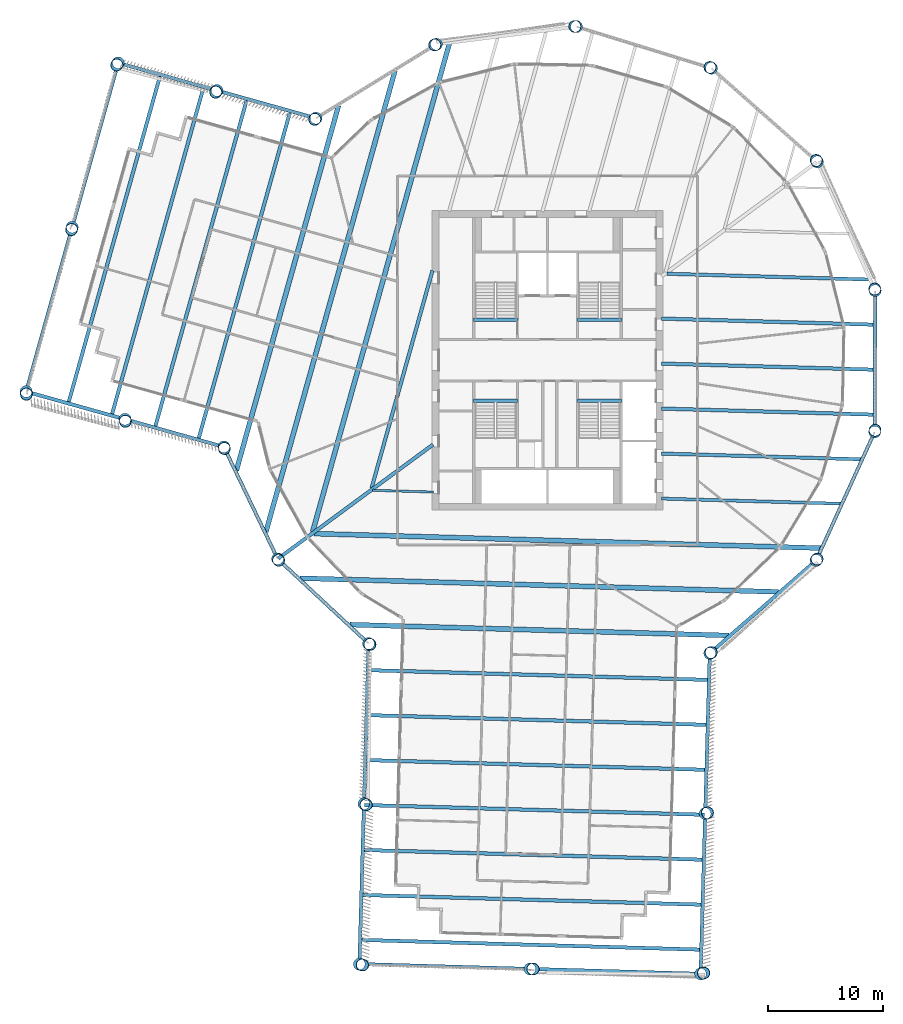
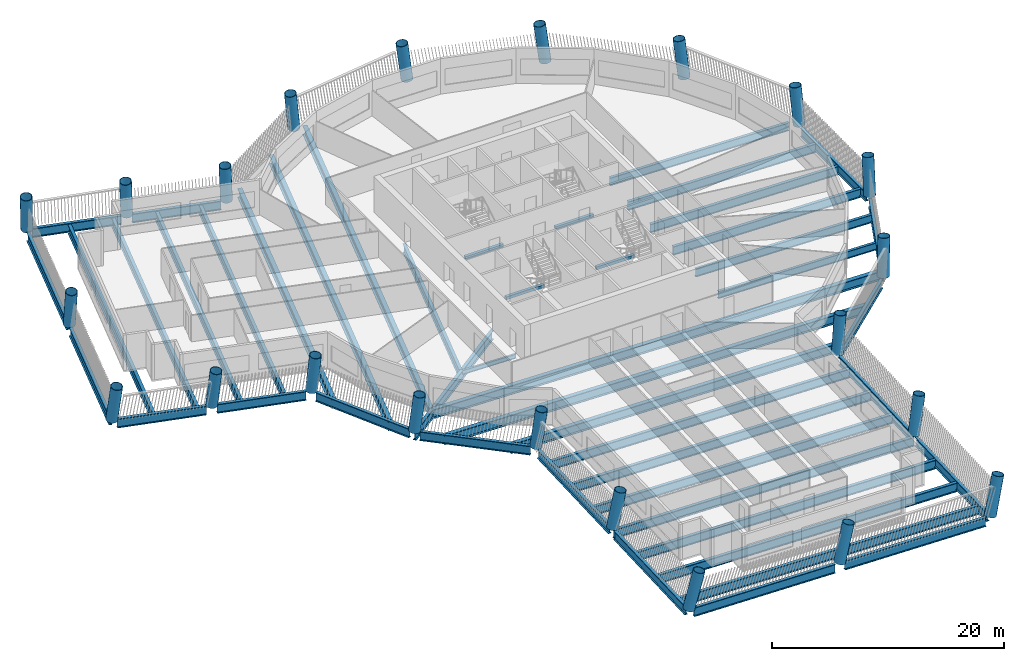
# One storey, part 1 of 15: 47 beams, 22 columns.
"""IFC4 building model written with IfcOpenShell, lengths in metres."""

from ifc_helpers import new_model, si_unit, direction, frame, origin, origin_2d, place, context, subcontext, project, spatial, rectangle, hollow_circle, i_section, extrude, material, material_profile, profile_set, type_object, element, save


model = new_model("IFC4")

# Units and contexts
model_context = context("Model", 3, precision=1e-05, world=origin(), true_north=direction((0.0, 1.0)))
body_context = subcontext(model_context, "Body", "Model", "MODEL_VIEW")
ifc_project = project(units=[si_unit("LENGTHUNIT", "METRE"), si_unit("AREAUNIT", "SQUARE_METRE"), si_unit("VOLUMEUNIT", "CUBIC_METRE"), si_unit("PLANEANGLEUNIT", "RADIAN"), si_unit("MASSUNIT", "GRAM", prefix="KILO")], contexts=[model_context])

# Site, building, storey
site_placement = place(None, origin())
site = spatial("IfcSite", under=ifc_project, at=site_placement, CompositionType="ELEMENT")
building_placement = place(site_placement, origin())
building = spatial("IfcBuilding", under=site, at=building_placement, Name="Tarsis Ring Headquarters", CompositionType="ELEMENT")
storey_placement = place(building_placement, frame((0.0, 0.0, 219.89990234375)))
storey = spatial("IfcBuildingStorey", under=building, at=storey_placement, Name="L51", CompositionType="ELEMENT", Elevation=219.89990234375)

# Columns
ifc_material_1 = material(Name="Structural steel S355", Category="steel")
ifc_material_profile_1 = material_profile(ifc_material_1, hollow_circle(Radius=0.533447265625, WallThickness=0.044921875, at=origin_2d()), Name="CHS 1067x45")
ifc_profile_set_1 = profile_set([ifc_material_profile_1], Name="Structural steel S355")
column_type = type_object("IfcColumnType", Name="XC Exo column CHS 1067x45", PredefinedType="COLUMN", material=ifc_profile_set_1)
for number, where, z_axis, x_axis, name in (
    (1, (-23.392822265625, -17.2216796875, 0.001220703125), (0.074212916427, -0.099137019851, 0.992302521578), (0.80054173313, 0.599277009001, 0.0), "Exo column XC5 F1"),
    (2, (-15.50927734375, -24.561767578125, 0.001220703125), (0.105289848755, -0.065262302947, 0.992297777667), (0.526838184188, 0.849965603823, 0.0), "Exo column XC5 AK"),
):
    element("IfcColumn", number, at=place(storey_placement, frame(where, z_axis=z_axis, x_axis=x_axis)), inside=storey, type_object=column_type, Name=name, PredefinedType="COLUMN", context=body_context, shape_type="SweptSolid", body=[
        extrude(hollow_circle(Radius=0.533447265625, WallThickness=0.044921875, at=origin_2d()), origin(), (0.0, 0.0, 1.0), 3.927978515625),
    ])
column_1_placement = place(storey_placement, frame((-15.906982421875, -38.458251953125, 0.00146484375), z_axis=(0.16323133438, -0.065921532472, 0.984382996111), x_axis=(0.374468841489, 0.927239498055, 0.0)))
element("IfcColumn", 3, at=column_1_placement, inside=storey, type_object=column_type, Name="Exo column XC5 AI1", PredefinedType="COLUMN", context=body_context, shape_type="SweptSolid", body=[
    extrude(hollow_circle(Radius=0.533447265625, WallThickness=0.044921875, at=origin_2d()), origin(), (0.0, 0.0, 1.0), 3.958984375),
])
column_2_placement = place(storey_placement, frame((-16.3046875, -52.35498046875, 0.001708984375), z_axis=(0.219479755531, -0.06635009003, 0.97335826008), x_axis=(0.289372499352, 0.95721656725, 0.0)))
element("IfcColumn", 4, at=column_2_placement, inside=storey, type_object=column_type, Name="Exo column XC5 AT1", PredefinedType="COLUMN", context=body_context, shape_type="SweptSolid", body=[
    extrude(hollow_circle(Radius=0.533447265625, WallThickness=0.044921875, at=origin_2d()), origin(), (0.0, 0.0, 1.0), 4.00341796875),
])
column_3_placement = place(storey_placement, frame((-1.5107421875, -52.7783203125, 0.001708984375), z_axis=(0.221183071379, -0.004521421901, 0.975221823833), x_axis=(0.020437719191, 0.999791128003, 0.0)))
element("IfcColumn", 5, at=column_3_placement, inside=storey, type_object=column_type, Name="Exo column XC5 AT2", PredefinedType="COLUMN", context=body_context, shape_type="SweptSolid", body=[
    extrude(hollow_circle(Radius=0.533447265625, WallThickness=0.044921875, at=origin_2d()), origin(), (0.0, 0.0, 1.0), 3.995849609375),
])
column_4_placement = place(storey_placement, frame((13.283203125, -53.201904296875, 0.001708984375), z_axis=(0.221979907664, 0.057446448632, 0.973357501709), x_axis=(-0.250537550351, 0.968106882459, 0.0)))
element("IfcColumn", 6, at=column_4_placement, inside=storey, type_object=column_type, Name="Exo column XC5 AT3", PredefinedType="COLUMN", context=body_context, shape_type="SweptSolid", body=[
    extrude(hollow_circle(Radius=0.533447265625, WallThickness=0.044921875, at=origin_2d()), origin(), (0.0, 0.0, 1.0), 4.00341796875),
])
column_5_placement = place(storey_placement, frame((13.680908203125, -39.305419921875, 0.00146484375), z_axis=(0.165759821729, 0.059261602932, 0.984383941315), x_axis=(-0.336647060083, 0.941630902709, 0.0)))
element("IfcColumn", 7, at=column_5_placement, inside=storey, type_object=column_type, Name="Exo column XC5 AO1", PredefinedType="COLUMN", context=body_context, shape_type="SweptSolid", body=[
    extrude(hollow_circle(Radius=0.533447265625, WallThickness=0.044921875, at=origin_2d()), origin(), (0.0, 0.0, 1.0), 3.958984375),
])
for number, where, z_axis, x_axis, name in (
    (8, (14.07861328125, -25.40869140625, 0.001220703125), (0.107838501041, 0.06091166053, 0.992300673841), (-0.491809189547, 0.870703003944, 0.0), "Exo column XC5 AJ"),
    (9, (23.30029296875, -17.3466796875, 0.001220703125), (0.07315609539, 0.09994477603, 0.992299968483), (-0.806931155172, 0.590645503506, 0.0), "Exo column XC5 R1"),
    (10, (28.379150390625, -6.200439453125, 0.001220703125), (0.025421336502, 0.121201971097, 0.992302291569), (-0.978703940647, 0.205276877807, 0.0), "Exo column XC5 R2"),
    (11, (28.411865234375, 6.04833984375, 0.001220703125), (-0.026788794842, 0.12089142916, 0.992304198735), (-0.976316804785, -0.216345780392, 0.0), "Exo column XC5 R3"),
    (12, (23.392822265625, 17.2216796875, 0.001220703125), (-0.074212916427, 0.099137019851, 0.992302521578), (-0.80054173313, -0.599277009001, 0.0), "Exo column XC5 R4"),
    (13, (14.214599609375, 25.3330078125, 0.001220703125), (-0.108522310051, 0.059668624083, 0.99230164946), (-0.481803149813, -0.876279478723, 0.0), "Exo column XC5 R5"),
    (14, (2.5087890625, 28.93994140625, 0.001220703125), (-0.123439843757, 0.009696181081, 0.992304685591), (-0.078308635224, -0.996929163807, 0.0), "Exo column XC5 R6"),
    (15, (-9.642822265625, 27.4013671875, 0.001220703125), (-0.116478106571, -0.042078803708, 0.99230147887), (0.339767787927, -0.940509356831, 0.0), "Exo column XC5 R7"),
    (16, (-20.080078125, 20.990478515625, 0.001220703125), (-0.088819019372, -0.086332832685, 0.99229926121), (0.696999566144, -0.717071547891, 0.0), "Exo column XC5 BJ"),
):
    element("IfcColumn", number, at=place(storey_placement, frame(where, z_axis=z_axis, x_axis=x_axis)), inside=storey, type_object=column_type, Name=name, PredefinedType="COLUMN", context=body_context, shape_type="SweptSolid", body=[
        extrude(hollow_circle(Radius=0.533447265625, WallThickness=0.044921875, at=origin_2d()), origin(), (0.0, 0.0, 1.0), 3.927978515625),
    ])
column_6_placement = place(storey_placement, frame((-28.65283203125, 23.390380859375, 0.00146484375), z_axis=(-0.098241387072, -0.122368679867, 0.9876105184), x_axis=(0.779790722906, -0.626040277035, 0.0)))
element("IfcColumn", 17, at=column_6_placement, inside=storey, type_object=column_type, Name="Exo column XC5 BO1", PredefinedType="COLUMN", context=body_context, shape_type="SweptSolid", body=[
    extrude(hollow_circle(Radius=0.533447265625, WallThickness=0.044921875, at=origin_2d()), origin(), (0.0, 0.0, 1.0), 3.9462890625),
])
column_7_placement = place(storey_placement, frame((-37.2255859375, 25.790283203125, 0.00146484375), z_axis=(-0.107427096636, -0.157850805417, 0.981602028389), x_axis=(0.826710799453, -0.562627100368, 0.0)))
element("IfcColumn", 18, at=column_7_placement, inside=storey, type_object=column_type, Name="Exo column XC5 BT3", PredefinedType="COLUMN", context=body_context, shape_type="SweptSolid", body=[
    extrude(hollow_circle(Radius=0.533447265625, WallThickness=0.044921875, at=origin_2d()), origin(), (0.0, 0.0, 1.0), 3.97021484375),
])
column_8_placement = place(storey_placement, frame((-41.21533203125, 11.538330078125, 0.00146484375), z_axis=(-0.047317965535, -0.174546609843, 0.983511307068), x_axis=(0.965163662343, -0.261646908817, 0.0)))
element("IfcColumn", 19, at=column_8_placement, inside=storey, type_object=column_type, Name="Exo column XC5 BT2", PredefinedType="COLUMN", context=body_context, shape_type="SweptSolid", body=[
    extrude(hollow_circle(Radius=0.533447265625, WallThickness=0.044921875, at=origin_2d()), origin(), (0.0, 0.0, 1.0), 3.962646484375),
])
column_9_placement = place(storey_placement, frame((-45.205322265625, -2.7138671875, 0.00146484375), z_axis=(0.01303634761, -0.190502853286, 0.981600079732), x_axis=(0.997666773684, 0.068271580381, 0.0)))
element("IfcColumn", 20, at=column_9_placement, inside=storey, type_object=column_type, Name="Exo column XC5 BT1", PredefinedType="COLUMN", context=body_context, shape_type="SweptSolid", body=[
    extrude(hollow_circle(Radius=0.533447265625, WallThickness=0.044921875, at=origin_2d()), origin(), (0.0, 0.0, 1.0), 3.97021484375),
])
column_10_placement = place(storey_placement, frame((-36.632568359375, -5.11376953125, 0.00146484375), z_axis=(0.023013759037, -0.155219143615, 0.987611960413), x_axis=(0.989186521294, 0.146662967685, 0.0)))
element("IfcColumn", 21, at=column_10_placement, inside=storey, type_object=column_type, Name="Exo column XC5 BI1", PredefinedType="COLUMN", context=body_context, shape_type="SweptSolid", body=[
    extrude(hollow_circle(Radius=0.533447265625, WallThickness=0.044921875, at=origin_2d()), origin(), (0.0, 0.0, 1.0), 3.9462890625),
])
column_11_placement = place(storey_placement, frame((-28.06005859375, -7.513671875, 0.001220703125), z_axis=(0.033066406712, -0.119337407681, 0.992302975847), x_axis=(0.963690289961, 0.267022517843, 0.0)))
element("IfcColumn", 22, at=column_11_placement, inside=storey, type_object=column_type, Name="Exo column XC5 BK", PredefinedType="COLUMN", context=body_context, shape_type="SweptSolid", body=[
    extrude(hollow_circle(Radius=0.533447265625, WallThickness=0.044921875, at=origin_2d()), origin(), (0.0, 0.0, 1.0), 3.927978515625),
])

# Beams
ifc_material_profile_2 = material_profile(ifc_material_1, i_section(OverallWidth=0.1904296875, OverallDepth=0.457275390625, WebThickness=0.009033203125, FlangeThickness=0.014404296875, at=origin_2d()), Name="W18x50")
ifc_profile_set_2 = profile_set([ifc_material_profile_2], Name="Structural steel S355")
beam_type_1 = type_object("IfcBeamType", Name="FB Floor beam W18x50", PredefinedType="JOIST", material=ifc_profile_set_2)
beam_1_placement = place(storey_placement, frame((-15.15234375, -11.27099609375, -0.388427734375), z_axis=(0.999590303252, -0.028622118105, 0.0), x_axis=(0.028622118105, 0.999590303252, 0.0)))
element("IfcBeam", 23, at=beam_1_placement, inside=storey, type_object=beam_type_1, Name="Floor beam FB2", PredefinedType="JOIST", context=body_context, shape_type="SweptSolid", body=[
    extrude(i_section(OverallWidth=0.1904296875, OverallDepth=0.457275390625, WebThickness=0.009033203125, FlangeThickness=0.014404296875, at=origin_2d()), origin(), (0.0, 0.0, 1.0), 5.25439453125),
])
ifc_material_profile_3 = material_profile(ifc_material_1, i_section(OverallWidth=0.2666015625, OverallDepth=0.7568359375, WebThickness=0.013916015625, FlangeThickness=0.019287109375, at=origin_2d()), Name="W30x108")
ifc_profile_set_3 = profile_set([ifc_material_profile_3], Name="Structural steel S355")
beam_type_2 = type_object("IfcBeamType", Name="FB Floor beam W30x108", PredefinedType="JOIST", material=ifc_profile_set_3)
beam_2_placement = place(storey_placement, frame((9.900146484375, -11.98828125, -0.538330078125), z_axis=(0.99959033306, -0.028621077073, 0.0), x_axis=(0.028621077073, 0.99959033306, 0.0)))
element("IfcBeam", 24, at=beam_2_placement, inside=storey, type_object=beam_type_2, Name="Floor beam FB6", PredefinedType="JOIST", context=body_context, shape_type="SweptSolid", body=[
    extrude(i_section(OverallWidth=0.2666015625, OverallDepth=0.7568359375, WebThickness=0.013916015625, FlangeThickness=0.019287109375, at=origin_2d()), origin(), (0.0, 0.0, 1.0), 15.575927734375),
])
ifc_material_profile_4 = material_profile(ifc_material_1, i_section(OverallWidth=0.2919921875, OverallDepth=0.835693359375, WebThickness=0.013916015625, FlangeThickness=0.018798828125, at=origin_2d()), Name="W33x118")
ifc_profile_set_4 = profile_set([ifc_material_profile_4], Name="Structural steel S355")
beam_type_3 = type_object("IfcBeamType", Name="FB Floor beam W33x118", PredefinedType="JOIST", material=ifc_profile_set_4)
beam_3_placement = place(storey_placement, frame((10.354248046875, 7.5068359375, -0.57763671875), z_axis=(0.999590372699, -0.028619692652, 0.0), x_axis=(0.028619692652, 0.999590372699, 0.0)))
element("IfcBeam", 25, at=beam_3_placement, inside=storey, type_object=beam_type_3, Name="Floor beam FB7", PredefinedType="JOIST", context=body_context, shape_type="SweptSolid", body=[
    extrude(i_section(OverallWidth=0.2919921875, OverallDepth=0.835693359375, WebThickness=0.013916015625, FlangeThickness=0.018798828125, at=origin_2d()), origin(), (0.0, 0.0, 1.0), 17.564208984375),
])
beam_4_placement = place(storey_placement, frame((9.900146484375, -8.086669921875, -0.57763671875), z_axis=(0.99959025754, -0.028623714481, 0.0), x_axis=(0.028623714481, 0.99959025754, 0.0)))
element("IfcBeam", 26, at=beam_4_placement, inside=storey, type_object=beam_type_3, Name="Floor beam FB7", PredefinedType="JOIST", context=body_context, shape_type="SweptSolid", body=[
    extrude(i_section(OverallWidth=0.2919921875, OverallDepth=0.835693359375, WebThickness=0.013916015625, FlangeThickness=0.018798828125, at=origin_2d()), origin(), (0.0, 0.0, 1.0), 17.33154296875),
])
ifc_material_profile_5 = material_profile(ifc_material_1, i_section(OverallWidth=0.3046875, OverallDepth=0.904296875, WebThickness=0.01513671875, FlangeThickness=0.02001953125, at=origin_2d()), Name="W36x135")
ifc_profile_set_5 = profile_set([ifc_material_profile_5], Name="Structural steel S355")
beam_type_4 = type_object("IfcBeamType", Name="FB Floor beam W36x135", PredefinedType="JOIST", material=ifc_profile_set_5)
beam_5_placement = place(storey_placement, frame((9.900146484375, 3.6181640625, -0.612060546875), z_axis=(0.999590206912, -0.028625482462, 0.0), x_axis=(0.028625482462, 0.999590206912, 0.0)))
element("IfcBeam", 27, at=beam_5_placement, inside=storey, type_object=beam_type_4, Name="Floor beam FB8", PredefinedType="JOIST", context=body_context, shape_type="SweptSolid", body=[
    extrude(i_section(OverallWidth=0.3046875, OverallDepth=0.904296875, WebThickness=0.01513671875, FlangeThickness=0.02001953125, at=origin_2d()), origin(), (0.0, 0.0, 1.0), 18.456298828125),
])
beam_6_placement = place(storey_placement, frame((9.900146484375, -0.283447265625, -0.612060546875), z_axis=(0.999590497944, -0.028615317937, 0.0), x_axis=(0.028615317937, 0.999590497944, 0.0)))
element("IfcBeam", 28, at=beam_6_placement, inside=storey, type_object=beam_type_4, Name="Floor beam FB8", PredefinedType="JOIST", context=body_context, shape_type="SweptSolid", body=[
    extrude(i_section(OverallWidth=0.3046875, OverallDepth=0.904296875, WebThickness=0.01513671875, FlangeThickness=0.02001953125, at=origin_2d()), origin(), (0.0, 0.0, 1.0), 18.44580078125),
])
beam_7_placement = place(storey_placement, frame((9.900146484375, -4.18505859375, -0.612060546875), z_axis=(0.999590421296, -0.028617995263, 0.0), x_axis=(0.028617995263, 0.999590421296, 0.0)))
element("IfcBeam", 29, at=beam_7_placement, inside=storey, type_object=beam_type_4, Name="Floor beam FB8", PredefinedType="JOIST", context=body_context, shape_type="SweptSolid", body=[
    extrude(i_section(OverallWidth=0.3046875, OverallDepth=0.904296875, WebThickness=0.01513671875, FlangeThickness=0.02001953125, at=origin_2d()), origin(), (0.0, 0.0, 1.0), 18.435546875),
])
beam_8_placement = place(storey_placement, frame((-9.97314453125, 7.775390625, -0.612060546875), z_axis=(-0.269590236863, -0.962975131656, 0.0), x_axis=(0.962975131656, -0.269590236863, 0.0)))
element("IfcBeam", 30, at=beam_8_placement, inside=storey, type_object=beam_type_4, Name="Floor beam FB8", PredefinedType="JOIST", context=body_context, shape_type="SweptSolid", body=[
    extrude(i_section(OverallWidth=0.3046875, OverallDepth=0.904296875, WebThickness=0.01513671875, FlangeThickness=0.02001953125, at=origin_2d()), origin(), (0.0, 0.0, 1.0), 19.62255859375),
])
ifc_material_profile_6 = material_profile(ifc_material_1, i_section(OverallWidth=0.309814453125, OverallDepth=0.949951171875, WebThickness=0.0244140625, FlangeThickness=0.0439453125, at=origin_2d()), Name="W36x256")
ifc_profile_set_6 = profile_set([ifc_material_profile_6], Name="Structural steel S355")
beam_type_5 = type_object("IfcBeamType", Name="FB Floor beam W36x256", PredefinedType="JOIST", material=ifc_profile_set_6)
for number, where, z_axis, x_axis, name in (
    (31, (-15.520263671875, -26.86669921875, -0.635009765625), (0.999590376256, -0.028619568425, 0.0), (0.028619568425, 0.999590376256, 0.0), "Floor beam FB11"),
    (32, (-15.6318359375, -30.76513671875, -0.635009765625), (0.999590376256, -0.028619568425, 0.0), (0.028619568425, 0.999590376256, 0.0), "Floor beam FB11"),
    (33, (-15.74365234375, -34.66357421875, -0.635009765625), (0.999590376256, -0.028619568425, 0.0), (0.028619568425, 0.999590376256, 0.0), "Floor beam FB11"),
    (34, (-15.855224609375, -38.56201171875, -0.635009765625), (0.999590376256, -0.028619568425, 0.0), (0.028619568425, 0.999590376256, 0.0), "Floor beam FB11"),
    (35, (-15.966796875, -42.46044921875, -0.635009765625), (0.999590376256, -0.028619568425, 0.0), (0.028619568425, 0.999590376256, 0.0), "Floor beam FB11"),
    (36, (-16.078369140625, -46.35888671875, -0.635009765625), (0.999590376256, -0.028619568425, 0.0), (0.028619568425, 0.999590376256, 0.0), "Floor beam FB11"),
    (37, (-16.18994140625, -50.25732421875, -0.635009765625), (0.999590376256, -0.028619568425, 0.0), (0.028619568425, 0.999590376256, 0.0), "Floor beam FB11"),
):
    element("IfcBeam", number, at=place(storey_placement, frame(where, z_axis=z_axis, x_axis=x_axis)), inside=storey, type_object=beam_type_5, Name=name, PredefinedType="JOIST", context=body_context, shape_type="SweptSolid", body=[
        extrude(i_section(OverallWidth=0.309814453125, OverallDepth=0.949951171875, WebThickness=0.0244140625, FlangeThickness=0.0439453125, at=origin_2d()), origin(), (0.0, 0.0, 1.0), 29.489990234375),
    ])
for number, where, z_axis, x_axis, name in (
    (38, (-22.31396484375, 21.55908203125, -0.635009765625), (-0.269594612057, -0.962973906786, 0.0), (0.962973906786, -0.269594612057, 0.0), "Floor beam FB11"),
    (39, (-26.069580078125, 22.6103515625, -0.635009765625), (-0.269596761318, -0.962973305075, 0.0), (0.962973305075, -0.269596761318, 0.0), "Floor beam FB11"),
    (40, (-29.8251953125, 23.661865234375, -0.635009765625), (-0.269596761318, -0.962973305075, 0.0), (0.962973305075, -0.269596761318, 0.0), "Floor beam FB11"),
    (41, (-33.580810546875, 24.713134765625, -0.635009765625), (-0.269596761318, -0.962973305075, 0.0), (0.962973305075, -0.269596761318, 0.0), "Floor beam FB11"),
):
    element("IfcBeam", number, at=place(storey_placement, frame(where, z_axis=z_axis, x_axis=x_axis)), inside=storey, type_object=beam_type_5, Name=name, PredefinedType="JOIST", context=body_context, shape_type="SweptSolid", body=[
        extrude(i_section(OverallWidth=0.309814453125, OverallDepth=0.949951171875, WebThickness=0.0244140625, FlangeThickness=0.0439453125, at=origin_2d()), origin(), (0.0, 0.0, 1.0), 29.490234375),
    ])
beam_type_6 = type_object("IfcBeamType", Name="FB Floor beam W36x256 spine", PredefinedType="BEAM", material=ifc_profile_set_6)
beam_9_placement = place(storey_placement, frame((-9.91943359375, -7.302490234375, -0.635009765625), z_axis=(-0.805301249512, -0.592865834345, 0.0), x_axis=(0.592865834345, -0.805301249512, 0.0)))
element("IfcBeam", 42, at=beam_9_placement, inside=storey, type_object=beam_type_6, Name="Floor beam SB11", PredefinedType="BEAM", context=body_context, shape_type="SweptSolid", body=[
    extrude(i_section(OverallWidth=0.309814453125, OverallDepth=0.949951171875, WebThickness=0.0244140625, FlangeThickness=0.0439453125, at=origin_2d()), origin(), (0.0, 0.0, 1.0), 16.67333984375),
])
ifc_material_profile_7 = material_profile(ifc_material_1, i_section(OverallWidth=0.42431640625, OverallDepth=0.947509765625, WebThickness=0.02392578125, FlangeThickness=0.042724609375, at=origin_2d()), Name="W36x302")
ifc_profile_set_7 = profile_set([ifc_material_profile_7], Name="Structural steel S355")
beam_type_7 = type_object("IfcBeamType", Name="FB Floor beam W36x302", PredefinedType="JOIST", material=ifc_profile_set_7)
beam_10_placement = place(storey_placement, frame((-20.253662109375, -15.026611328125, -0.633544921875), z_axis=(0.999590432358, -0.028617608869, 0.0), x_axis=(0.028617608869, 0.999590432358, 0.0)))
element("IfcBeam", 43, at=beam_10_placement, inside=storey, type_object=beam_type_7, Name="Floor beam FB12", PredefinedType="JOIST", context=body_context, shape_type="SweptSolid", body=[
    extrude(i_section(OverallWidth=0.42431640625, OverallDepth=0.947509765625, WebThickness=0.02392578125, FlangeThickness=0.042724609375, at=origin_2d()), origin(), (0.0, 0.0, 1.0), 43.986572265625),
])
beam_11_placement = place(storey_placement, frame((-21.467041015625, -18.893310546875, -0.633544921875), z_axis=(0.999590319735, -0.028621542459, 0.0), x_axis=(0.028621542459, 0.999590319735, 0.0)))
element("IfcBeam", 44, at=beam_11_placement, inside=storey, type_object=beam_type_7, Name="Floor beam FB12", PredefinedType="JOIST", context=body_context, shape_type="SweptSolid", body=[
    extrude(i_section(OverallWidth=0.42431640625, OverallDepth=0.947509765625, WebThickness=0.02392578125, FlangeThickness=0.042724609375, at=origin_2d()), origin(), (0.0, 0.0, 1.0), 41.52392578125),
])
beam_12_placement = place(storey_placement, frame((-17.143310546875, -22.918701171875, -0.633544921875), z_axis=(0.99959034009, -0.028620831568, 0.0), x_axis=(0.028620831568, 0.99959034009, 0.0)))
element("IfcBeam", 45, at=beam_12_placement, inside=storey, type_object=beam_type_7, Name="Floor beam FB12", PredefinedType="JOIST", context=body_context, shape_type="SweptSolid", body=[
    extrude(i_section(OverallWidth=0.42431640625, OverallDepth=0.947509765625, WebThickness=0.02392578125, FlangeThickness=0.042724609375, at=origin_2d()), origin(), (0.0, 0.0, 1.0), 32.875244140625),
])
beam_13_placement = place(storey_placement, frame((-8.506103515625, 27.48193359375, -0.633544921875), z_axis=(-0.269591632828, -0.962974740847, 0.0), x_axis=(0.962974740847, -0.269591632828, 0.0)))
element("IfcBeam", 46, at=beam_13_placement, inside=storey, type_object=beam_type_7, Name="Floor beam FB12", PredefinedType="JOIST", context=body_context, shape_type="SweptSolid", body=[
    extrude(i_section(OverallWidth=0.42431640625, OverallDepth=0.947509765625, WebThickness=0.02392578125, FlangeThickness=0.042724609375, at=origin_2d()), origin(), (0.0, 0.0, 1.0), 43.986572265625),
])
beam_14_placement = place(storey_placement, frame((-13.22265625, 25.100341796875, -0.633544921875), z_axis=(-0.269594377695, -0.962973972398, 0.0), x_axis=(0.962973972398, -0.269594377695, 0.0)))
element("IfcBeam", 47, at=beam_14_placement, inside=storey, type_object=beam_type_7, Name="Floor beam FB12", PredefinedType="JOIST", context=body_context, shape_type="SweptSolid", body=[
    extrude(i_section(OverallWidth=0.42431640625, OverallDepth=0.947509765625, WebThickness=0.02392578125, FlangeThickness=0.042724609375, at=origin_2d()), origin(), (0.0, 0.0, 1.0), 41.523681640625),
])
beam_15_placement = place(storey_placement, frame((-18.11376953125, 22.09619140625, -0.633544921875), z_axis=(-0.269589433232, -0.962975356637, 0.0), x_axis=(0.962975356637, -0.269589433232, 0.0)))
element("IfcBeam", 48, at=beam_15_placement, inside=storey, type_object=beam_type_7, Name="Floor beam FB12", PredefinedType="JOIST", context=body_context, shape_type="SweptSolid", body=[
    extrude(i_section(OverallWidth=0.42431640625, OverallDepth=0.947509765625, WebThickness=0.02392578125, FlangeThickness=0.042724609375, at=origin_2d()), origin(), (0.0, 0.0, 1.0), 32.875244140625),
])
ifc_material_2 = material(Name="Concrete C40/50", Category="concrete")
ifc_material_profile_8 = material_profile(ifc_material_2, rectangle(XDim=0.300048828125, YDim=0.300048828125, at=origin_2d()), Name="Stair head beam 300x300 C40/50")
ifc_profile_set_8 = profile_set([ifc_material_profile_8], Name="Concrete C40/50")
beam_type_8 = type_object("IfcBeamType", Name="Stair head beam 300x300 C40/50", PredefinedType="BEAM", material=ifc_profile_set_8)
for number, where, z_axis, x_axis, name in (
    (49, (-6.39990234375, 3.510009765625, -0.309814453125), (1.0, 0.0, 0.0), (0.0, 1.0, 0.0), "Stair head beam L51 Firefighting stair"),
    (50, (2.60009765625, 3.510009765625, -0.309814453125), (1.0, 0.0, 0.0), (0.0, 1.0, 0.0), "Stair head beam L51 Exit stair B"),
    (51, (-6.39990234375, -3.510009765625, -0.309814453125), (1.0, 0.0, 0.0), (0.0, 1.0, 0.0), "Stair head beam L51 Exit stair C"),
    (52, (2.60009765625, -3.510009765625, -0.309814453125), (1.0, 0.0, 0.0), (0.0, 1.0, 0.0), "Stair head beam L51 Exit stair D"),
):
    element("IfcBeam", number, at=place(storey_placement, frame(where, z_axis=z_axis, x_axis=x_axis)), inside=storey, type_object=beam_type_8, Name=name, PredefinedType="BEAM", context=body_context, shape_type="SweptSolid", body=[
        extrude(rectangle(XDim=0.300048828125, YDim=0.300048828125, at=origin_2d()), origin(), (0.0, 0.0, 1.0), 3.7998046875),
    ])
beam_type_9 = type_object("IfcBeamType", Name="XG Ring girder W36x256", PredefinedType="BEAM", material=ifc_profile_set_6)
beam_16_placement = place(storey_placement, frame((-23.041748046875, -17.548828125, -0.474853515625), z_axis=(0.731899537353, -0.68141255288, 0.0), x_axis=(0.68141255288, 0.731899537353, 0.0)))
element("IfcBeam", 53, at=beam_16_placement, inside=storey, type_object=beam_type_9, Name="Ring girder XG2", PredefinedType="BEAM", context=body_context, shape_type="SweptSolid", body=[
    extrude(i_section(OverallWidth=0.309814453125, OverallDepth=0.949951171875, WebThickness=0.0244140625, FlangeThickness=0.0439453125, at=origin_2d()), origin(), (0.0, 0.0, 1.0), 9.811767578125),
])
beam_17_placement = place(storey_placement, frame((-15.52294921875, -25.04150390625, -0.474853515625), z_axis=(-0.028635167258, -0.999589929519, 0.0), x_axis=(0.999589929519, -0.028635167258, 0.0)))
element("IfcBeam", 54, at=beam_17_placement, inside=storey, type_object=beam_type_9, Name="Ring girder XG2", PredefinedType="BEAM", context=body_context, shape_type="SweptSolid", body=[
    extrude(i_section(OverallWidth=0.309814453125, OverallDepth=0.949951171875, WebThickness=0.0244140625, FlangeThickness=0.0439453125, at=origin_2d()), origin(), (0.0, 0.0, 1.0), 12.9423828125),
])
beam_18_placement = place(storey_placement, frame((-15.9208984375, -38.938232421875, -0.474853515625), z_axis=(-0.028616858564, -0.999590453839, 0.0), x_axis=(0.999590453839, -0.028616858564, 0.0)))
element("IfcBeam", 55, at=beam_18_placement, inside=storey, type_object=beam_type_9, Name="Ring girder XG2", PredefinedType="BEAM", context=body_context, shape_type="SweptSolid", body=[
    extrude(i_section(OverallWidth=0.309814453125, OverallDepth=0.949951171875, WebThickness=0.0244140625, FlangeThickness=0.0439453125, at=origin_2d()), origin(), (0.0, 0.0, 1.0), 12.942138671875),
])
for number, where, z_axis, x_axis, name in (
    (56, (-15.8251953125, -52.36865234375, -0.474853515625), (0.999590574265, -0.028612651751, 0.0), (0.028612651751, 0.999590574265, 0.0), "Ring girder XG2"),
    (57, (-1.03125, -52.7919921875, -0.474853515625), (0.999590069579, -0.028630277648, 0.0), (0.028630277648, 0.999590069579, 0.0), "Ring girder XG2"),
):
    element("IfcBeam", number, at=place(storey_placement, frame(where, z_axis=z_axis, x_axis=x_axis)), inside=storey, type_object=beam_type_9, Name=name, PredefinedType="BEAM", context=body_context, shape_type="SweptSolid", body=[
        extrude(i_section(OverallWidth=0.309814453125, OverallDepth=0.949951171875, WebThickness=0.0244140625, FlangeThickness=0.0439453125, at=origin_2d()), origin(), (0.0, 0.0, 1.0), 13.83984375),
    ])
beam_19_placement = place(storey_placement, frame((13.296630859375, -52.72216796875, -0.474853515625), z_axis=(0.028616318964, 0.999590469287, 0.0), x_axis=(-0.999590469287, 0.028616318964, 0.0)))
element("IfcBeam", 58, at=beam_19_placement, inside=storey, type_object=beam_type_9, Name="Ring girder XG2", PredefinedType="BEAM", context=body_context, shape_type="SweptSolid", body=[
    extrude(i_section(OverallWidth=0.309814453125, OverallDepth=0.949951171875, WebThickness=0.0244140625, FlangeThickness=0.0439453125, at=origin_2d()), origin(), (0.0, 0.0, 1.0), 12.9423828125),
])
beam_20_placement = place(storey_placement, frame((13.6943359375, -38.825439453125, -0.474853515625), z_axis=(0.028635707213, 0.999589914051, 0.0), x_axis=(-0.999589914051, 0.028635707213, 0.0)))
element("IfcBeam", 59, at=beam_20_placement, inside=storey, type_object=beam_type_9, Name="Ring girder XG2", PredefinedType="BEAM", context=body_context, shape_type="SweptSolid", body=[
    extrude(i_section(OverallWidth=0.309814453125, OverallDepth=0.949951171875, WebThickness=0.0244140625, FlangeThickness=0.0439453125, at=origin_2d()), origin(), (0.0, 0.0, 1.0), 12.942138671875),
])
beam_21_placement = place(storey_placement, frame((14.43994140625, -25.0927734375, -0.474853515625), z_axis=(0.752861987311, 0.658178416588, 0.0), x_axis=(-0.658178416588, 0.752861987311, 0.0)))
element("IfcBeam", 60, at=beam_21_placement, inside=storey, type_object=beam_type_9, Name="Ring girder XG2", PredefinedType="BEAM", context=body_context, shape_type="SweptSolid", body=[
    extrude(i_section(OverallWidth=0.309814453125, OverallDepth=0.949951171875, WebThickness=0.0244140625, FlangeThickness=0.0439453125, at=origin_2d()), origin(), (0.0, 0.0, 1.0), 11.28857421875),
])
beam_22_placement = place(storey_placement, frame((23.499267578125, -16.91015625, -0.474853515625), z_axis=(0.414628887816, 0.909990596319, 0.0), x_axis=(-0.909990596319, 0.414628887816, 0.0)))
element("IfcBeam", 61, at=beam_22_placement, inside=storey, type_object=beam_type_9, Name="Ring girder XG2", PredefinedType="BEAM", context=body_context, shape_type="SweptSolid", body=[
    extrude(i_section(OverallWidth=0.309814453125, OverallDepth=0.949951171875, WebThickness=0.0244140625, FlangeThickness=0.0439453125, at=origin_2d()), origin(), (0.0, 0.0, 1.0), 11.288818359375),
])
beam_23_placement = place(storey_placement, frame((28.38037109375, -5.720458984375, -0.474853515625), z_axis=(0.00268176725, 0.999996404056, 0.0), x_axis=(-0.999996404056, 0.00268176725, 0.0)))
element("IfcBeam", 62, at=beam_23_placement, inside=storey, type_object=beam_type_9, Name="Ring girder XG2", PredefinedType="BEAM", context=body_context, shape_type="SweptSolid", body=[
    extrude(i_section(OverallWidth=0.309814453125, OverallDepth=0.949951171875, WebThickness=0.0244140625, FlangeThickness=0.0439453125, at=origin_2d()), origin(), (0.0, 0.0, 1.0), 11.28857421875),
])
beam_24_placement = place(storey_placement, frame((-20.54248046875, 21.1201171875, -0.474853515625), z_axis=(-0.962974235422, 0.269593438187, 0.0), x_axis=(-0.269593438187, -0.962974235422, 0.0)))
element("IfcBeam", 63, at=beam_24_placement, inside=storey, type_object=beam_type_9, Name="Ring girder XG2", PredefinedType="BEAM", context=body_context, shape_type="SweptSolid", body=[
    extrude(i_section(OverallWidth=0.309814453125, OverallDepth=0.949951171875, WebThickness=0.0244140625, FlangeThickness=0.0439453125, at=origin_2d()), origin(), (0.0, 0.0, 1.0), 7.94189453125),
])
beam_25_placement = place(storey_placement, frame((-29.114990234375, 23.52001953125, -0.474853515625), z_axis=(-0.962976469555, 0.269585457848, 0.0), x_axis=(-0.269585457848, -0.962976469555, 0.0)))
element("IfcBeam", 64, at=beam_25_placement, inside=storey, type_object=beam_type_9, Name="Ring girder XG2", PredefinedType="BEAM", context=body_context, shape_type="SweptSolid", body=[
    extrude(i_section(OverallWidth=0.309814453125, OverallDepth=0.949951171875, WebThickness=0.0244140625, FlangeThickness=0.0439453125, at=origin_2d()), origin(), (0.0, 0.0, 1.0), 7.942138671875),
])
beam_26_placement = place(storey_placement, frame((-37.354736328125, 25.328369140625, -0.474853515625), z_axis=(-0.269593938442, -0.962974095371, 0.0), x_axis=(0.962974095371, -0.269593938442, 0.0)))
element("IfcBeam", 65, at=beam_26_placement, inside=storey, type_object=beam_type_9, Name="Ring girder XG2", PredefinedType="BEAM", context=body_context, shape_type="SweptSolid", body=[
    extrude(i_section(OverallWidth=0.309814453125, OverallDepth=0.949951171875, WebThickness=0.0244140625, FlangeThickness=0.0439453125, at=origin_2d()), origin(), (0.0, 0.0, 1.0), 13.840087890625),
])
beam_27_placement = place(storey_placement, frame((-41.3447265625, 11.076171875, -0.474853515625), z_axis=(-0.269598518103, -0.962972813239, 0.0), x_axis=(0.962972813239, -0.269598518103, 0.0)))
element("IfcBeam", 66, at=beam_27_placement, inside=storey, type_object=beam_type_9, Name="Ring girder XG2", PredefinedType="BEAM", context=body_context, shape_type="SweptSolid", body=[
    extrude(i_section(OverallWidth=0.309814453125, OverallDepth=0.949951171875, WebThickness=0.0244140625, FlangeThickness=0.0439453125, at=origin_2d()), origin(), (0.0, 0.0, 1.0), 13.83984375),
])
beam_28_placement = place(storey_placement, frame((-44.742919921875, -2.843017578125, -0.474853515625), z_axis=(0.962974235422, -0.269593438187, 0.0), x_axis=(0.269593438187, 0.962974235422, 0.0)))
element("IfcBeam", 67, at=beam_28_placement, inside=storey, type_object=beam_type_9, Name="Ring girder XG2", PredefinedType="BEAM", context=body_context, shape_type="SweptSolid", body=[
    extrude(i_section(OverallWidth=0.309814453125, OverallDepth=0.949951171875, WebThickness=0.0244140625, FlangeThickness=0.0439453125, at=origin_2d()), origin(), (0.0, 0.0, 1.0), 7.94189453125),
])
beam_29_placement = place(storey_placement, frame((-36.17041015625, -5.242919921875, -0.474853515625), z_axis=(0.962976469555, -0.269585457848, 0.0), x_axis=(0.269585457848, 0.962976469555, 0.0)))
element("IfcBeam", 68, at=beam_29_placement, inside=storey, type_object=beam_type_9, Name="Ring girder XG2", PredefinedType="BEAM", context=body_context, shape_type="SweptSolid", body=[
    extrude(i_section(OverallWidth=0.309814453125, OverallDepth=0.949951171875, WebThickness=0.0244140625, FlangeThickness=0.0439453125, at=origin_2d()), origin(), (0.0, 0.0, 1.0), 7.942138671875),
])
beam_30_placement = place(storey_placement, frame((-27.85205078125, -7.946044921875, -0.474853515625), z_axis=(0.433255178459, -0.901271296746, 0.0), x_axis=(0.901271296746, 0.433255178459, 0.0)))
element("IfcBeam", 69, at=beam_30_placement, inside=storey, type_object=beam_type_9, Name="Ring girder XG2", PredefinedType="BEAM", context=body_context, shape_type="SweptSolid", body=[
    extrude(i_section(OverallWidth=0.309814453125, OverallDepth=0.949951171875, WebThickness=0.0244140625, FlangeThickness=0.0439453125, at=origin_2d()), origin(), (0.0, 0.0, 1.0), 9.811767578125),
])

save(model, "model.ifc")
